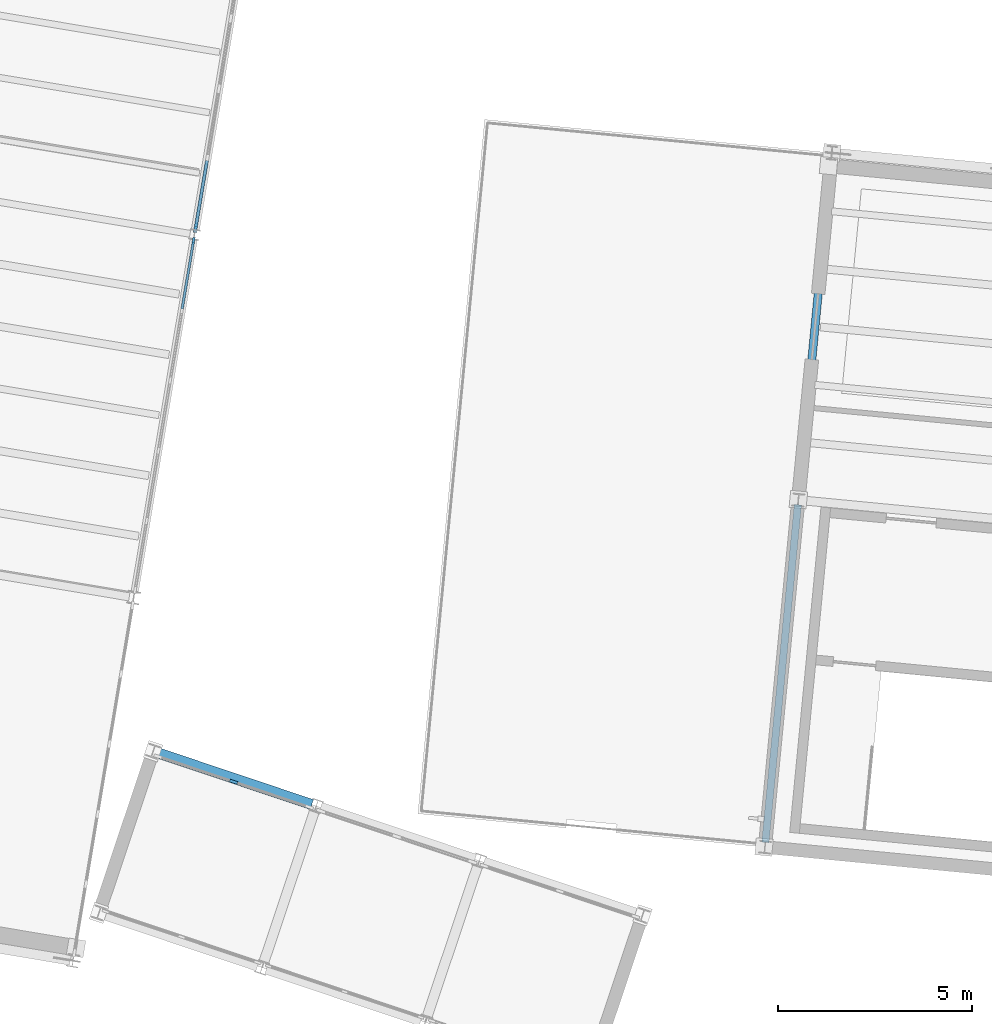
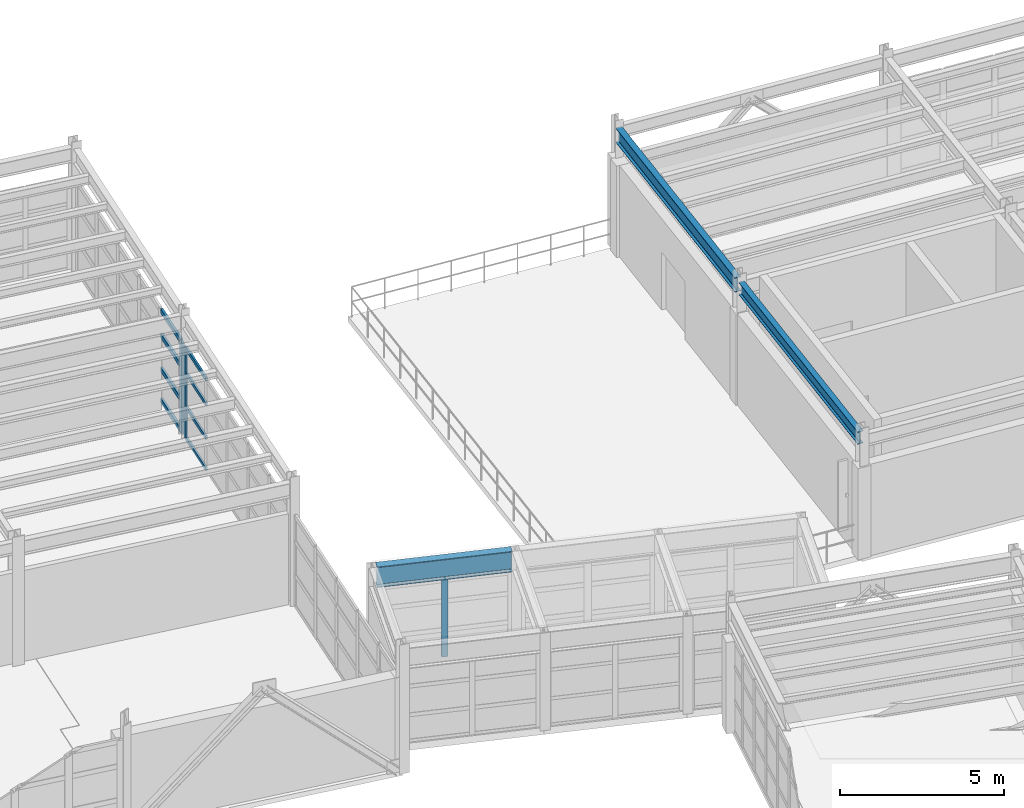
# One storey, part 43 of 102: 11 members, 3 beams, 3 elements without a shape of their own.
"""IFC4 building model written with IfcOpenShell, lengths in metres."""

from ifc_helpers import new_model, si_unit, direction, frame, origin, origin_2d, place, context, subcontext, project, spatial, rectangle, i_section, extrude, material, layer, layer_set, material_profile, profile_set, type_object, element, aggregate, save


model = new_model("IFC4")

# Units and contexts
model_context = context("Model", 3, precision=1e-05, world=origin(), true_north=direction((0.0, 1.0)))
body_context = subcontext(model_context, "Body", "Model", "MODEL_VIEW")
ifc_project = project(units=[si_unit("LENGTHUNIT", "METRE"), si_unit("AREAUNIT", "SQUARE_METRE"), si_unit("VOLUMEUNIT", "CUBIC_METRE"), si_unit("PLANEANGLEUNIT", "RADIAN"), si_unit("MASSUNIT", "GRAM", prefix="KILO")], contexts=[model_context])

# Site, building, storey
site_placement = place(None, origin())
site = spatial("IfcSite", under=ifc_project, at=site_placement, CompositionType="ELEMENT")
building_placement = place(site_placement, origin())
building = spatial("IfcBuilding", under=site, at=building_placement, Name="Vireo Bluff Cable Station", CompositionType="ELEMENT")
storey_placement = place(building_placement, frame((0.0, 0.0, 9.60009765625)))
storey = spatial("IfcBuildingStorey", under=building, at=storey_placement, Name="L02", CompositionType="ELEMENT", Elevation=9.60009765625)

# Curtain wall, member
ifc_material_1 = material(Name="Anodized Aluminium 6063-T6", Category="aluminium")
ifc_layer_1 = layer(ifc_material_1, 0.159912109375, Name="Anodized Aluminium 6063-T6")
ifc_layer_set_1 = layer_set([ifc_layer_1], Name="Anodized Aluminium 6063-T6")
curtain_wall_type_1 = type_object("IfcCurtainWallType", Name="CW-STICK-1750", PredefinedType="USERDEFINED", material=ifc_layer_set_1)
curtain_wall_1_placement = place(storey_placement, origin())
curtain_wall_1 = element("IfcCurtainWall", 1, at=curtain_wall_1_placement, inside=storey, type_object=curtain_wall_type_1, Name="V4 L02 east curtain wall CW-104", ObjectType="STICK CURTAIN WALL", PredefinedType="USERDEFINED")
ifc_material_profile_1 = material_profile(ifc_material_1, rectangle(XDim=0.06494140625, YDim=0.179931640625, at=origin_2d()), Name="ALU-M-65X180")
ifc_profile_set_1 = profile_set([ifc_material_profile_1], Name="Anodized Aluminium 6063-T6")
member_type_1 = type_object("IfcMemberType", Name="CWM-01", PredefinedType="MULLION", material=ifc_profile_set_1)
member_1_placement = place(storey_placement, frame((52.9912109375, 82.64794921875, 0.0), z_axis=(0.0, 0.0, 1.0), x_axis=(0.986285611291, -0.165047547574, 0.0)))
member_1 = element("IfcMember", 2, at=member_1_placement, type_object=member_type_1, Name="CW-104 mullion 1", PredefinedType="MULLION", context=body_context, shape_type="SweptSolid", body=[
    extrude(rectangle(XDim=0.06494140625, YDim=0.179931640625, at=origin_2d()), origin(), (0.0, 0.0, 1.0), 3.39990234375),
])

ifc_layer_2 = layer(ifc_material_1, 0.159912109375, Name="Anodized Aluminium 6063-T6")
ifc_layer_set_2 = layer_set([ifc_layer_2], Name="Anodized Aluminium 6063-T6")
curtain_wall_type_2 = type_object("IfcCurtainWallType", Name="CW-STICK-1850", PredefinedType="USERDEFINED", material=ifc_layer_set_2)
curtain_wall_2_placement = place(storey_placement, origin())
curtain_wall_2 = element("IfcCurtainWall", 3, at=curtain_wall_2_placement, inside=storey, type_object=curtain_wall_type_2, Name="SKYBR L02 CABIN-TRANSFER-1R curtain wall CW-141", ObjectType="STICK CURTAIN WALL", PredefinedType="USERDEFINED")
ifc_material_profile_2 = material_profile(ifc_material_1, rectangle(XDim=0.074951171875, YDim=0.2099609375, at=origin_2d()), Name="ALU-M-75X210")
ifc_profile_set_2 = profile_set([ifc_material_profile_2], Name="Anodized Aluminium 6063-T6")
member_type_2 = type_object("IfcMemberType", Name="CWM-02", PredefinedType="MULLION", material=ifc_profile_set_2)
member_2_placement = place(storey_placement, frame((54.02587890625, 68.689453125, 0.0), z_axis=(0.0, 0.0, 1.0), x_axis=(0.317927251237, 0.948115110586, 0.0)))
member_2 = element("IfcMember", 4, at=member_2_placement, type_object=member_type_2, Name="CW-141 mullion 2", PredefinedType="MULLION", context=body_context, shape_type="SweptSolid", body=[
    extrude(rectangle(XDim=0.074951171875, YDim=0.2099609375, at=origin_2d()), origin(), (0.0, 0.0, 1.0), 2.8798828125),
])
aggregate(curtain_wall_2, [member_2])

curtain_wall_3_placement = place(storey_placement, origin())
curtain_wall_3 = element("IfcCurtainWall", 5, at=curtain_wall_3_placement, inside=storey, type_object=curtain_wall_type_2, Name="V4 L02 east curtain wall CW-103", ObjectType="STICK CURTAIN WALL", PredefinedType="USERDEFINED")
ifc_material_profile_3 = material_profile(ifc_material_1, rectangle(XDim=0.080078125, YDim=0.239990234375, at=origin_2d()), Name="ALU-M-80X240")
ifc_profile_set_3 = profile_set([ifc_material_profile_3], Name="Anodized Aluminium 6063-T6")
member_type_3 = type_object("IfcMemberType", Name="CWM-04", PredefinedType="MULLION", material=ifc_profile_set_3)
member_3_placement = place(storey_placement, frame((53.04736328125, 82.98388671875, 0.0), z_axis=(0.0, 0.0, 1.0), x_axis=(0.986285596562, -0.165047635589, 0.0)))
member_3 = element("IfcMember", 6, at=member_3_placement, type_object=member_type_3, Name="CW-103 mullion 6", PredefinedType="MULLION", context=body_context, shape_type="SweptSolid", body=[
    extrude(rectangle(XDim=0.080078125, YDim=0.239990234375, at=origin_2d()), origin(), (0.0, 0.0, 1.0), 3.39990234375),
])

# Member
ifc_material_profile_4 = material_profile(ifc_material_1, rectangle(XDim=0.06494140625, YDim=0.139892578125, at=origin_2d()), Name="ALU-T-65X140")
ifc_profile_set_4 = profile_set([ifc_material_profile_4], Name="Anodized Aluminium 6063-T6")
member_type_4 = type_object("IfcMemberType", Name="CWT-01", PredefinedType="USERDEFINED", material=ifc_profile_set_4)
member_4_placement = place(storey_placement, frame((52.98583984375, 82.615966796875, 0.032470703125), z_axis=(-0.165012271453, -0.986291513839, 0.0), x_axis=(0.986291513839, -0.165012271453, 0.0)))
member_4 = element("IfcMember", 7, at=member_4_placement, type_object=member_type_4, Name="CW-104 transom 1.1", ObjectType="TRANSOM", PredefinedType="USERDEFINED", context=body_context, shape_type="SweptSolid", body=[
    extrude(rectangle(XDim=0.06494140625, YDim=0.139892578125, at=origin_2d()), origin(), (0.0, 0.0, 1.0), 1.742919921875),
])

member_5_placement = place(storey_placement, frame((52.98583984375, 82.615966796875, 1.18994140625), z_axis=(-0.165012271453, -0.986291513839, 0.0), x_axis=(0.986291513839, -0.165012271453, 0.0)))
member_5 = element("IfcMember", 8, at=member_5_placement, type_object=member_type_4, Name="CW-104 transom 1.2", ObjectType="TRANSOM", PredefinedType="USERDEFINED", context=body_context, shape_type="SweptSolid", body=[
    extrude(rectangle(XDim=0.06494140625, YDim=0.139892578125, at=origin_2d()), origin(), (0.0, 0.0, 1.0), 1.742919921875),
])

member_6_placement = place(storey_placement, frame((52.98583984375, 82.615966796875, 2.447998046875), z_axis=(-0.165012271453, -0.986291513839, 0.0), x_axis=(0.986291513839, -0.165012271453, 0.0)))
member_6 = element("IfcMember", 9, at=member_6_placement, type_object=member_type_4, Name="CW-104 transom 1.3", ObjectType="TRANSOM", PredefinedType="USERDEFINED", context=body_context, shape_type="SweptSolid", body=[
    extrude(rectangle(XDim=0.06494140625, YDim=0.139892578125, at=origin_2d()), origin(), (0.0, 0.0, 1.0), 1.742919921875),
])

member_7_placement = place(storey_placement, frame((52.98583984375, 82.615966796875, 3.367431640625), z_axis=(-0.165012271453, -0.986291513839, 0.0), x_axis=(0.986291513839, -0.165012271453, 0.0)))
member_7 = element("IfcMember", 10, at=member_7_placement, type_object=member_type_4, Name="CW-104 transom 1.4", ObjectType="TRANSOM", PredefinedType="USERDEFINED", context=body_context, shape_type="SweptSolid", body=[
    extrude(rectangle(XDim=0.06494140625, YDim=0.139892578125, at=origin_2d()), origin(), (0.0, 0.0, 1.0), 1.742919921875),
])

aggregate(curtain_wall_1, [member_1, member_4, member_5, member_6, member_7])

ifc_material_profile_5 = material_profile(ifc_material_1, rectangle(XDim=0.080078125, YDim=0.175048828125, at=origin_2d()), Name="ALU-T-80X175")
ifc_profile_set_5 = profile_set([ifc_material_profile_5], Name="Anodized Aluminium 6063-T6")
member_type_5 = type_object("IfcMemberType", Name="CWT-04", PredefinedType="USERDEFINED", material=ifc_profile_set_5)
member_8_placement = place(storey_placement, frame((53.338134765625, 84.72021484375, 0.039794921875), z_axis=(-0.165181349335, -0.986263211233, 0.0), x_axis=(0.986263211233, -0.165181349335, 0.0)))
member_8 = element("IfcMember", 11, at=member_8_placement, type_object=member_type_5, Name="CW-103 transom 5.1", ObjectType="TRANSOM", PredefinedType="USERDEFINED", context=body_context, shape_type="SweptSolid", body=[
    extrude(rectangle(XDim=0.080078125, YDim=0.175048828125, at=origin_2d()), origin(), (0.0, 0.0, 1.0), 1.720458984375),
])

member_9_placement = place(storey_placement, frame((53.338134765625, 84.72021484375, 1.18994140625), z_axis=(-0.165181349335, -0.986263211233, 0.0), x_axis=(0.986263211233, -0.165181349335, 0.0)))
member_9 = element("IfcMember", 12, at=member_9_placement, type_object=member_type_5, Name="CW-103 transom 5.2", ObjectType="TRANSOM", PredefinedType="USERDEFINED", context=body_context, shape_type="SweptSolid", body=[
    extrude(rectangle(XDim=0.080078125, YDim=0.175048828125, at=origin_2d()), origin(), (0.0, 0.0, 1.0), 1.720458984375),
])

member_10_placement = place(storey_placement, frame((53.338134765625, 84.72021484375, 2.447998046875), z_axis=(-0.165181349335, -0.986263211233, 0.0), x_axis=(0.986263211233, -0.165181349335, 0.0)))
member_10 = element("IfcMember", 13, at=member_10_placement, type_object=member_type_5, Name="CW-103 transom 5.3", ObjectType="TRANSOM", PredefinedType="USERDEFINED", context=body_context, shape_type="SweptSolid", body=[
    extrude(rectangle(XDim=0.080078125, YDim=0.175048828125, at=origin_2d()), origin(), (0.0, 0.0, 1.0), 1.720458984375),
])

member_11_placement = place(storey_placement, frame((53.338134765625, 84.72021484375, 3.35986328125), z_axis=(-0.165181349335, -0.986263211233, 0.0), x_axis=(0.986263211233, -0.165181349335, 0.0)))
member_11 = element("IfcMember", 14, at=member_11_placement, type_object=member_type_5, Name="CW-103 transom 5.4", ObjectType="TRANSOM", PredefinedType="USERDEFINED", context=body_context, shape_type="SweptSolid", body=[
    extrude(rectangle(XDim=0.080078125, YDim=0.175048828125, at=origin_2d()), origin(), (0.0, 0.0, 1.0), 1.720458984375),
])

aggregate(curtain_wall_3, [member_3, member_8, member_9, member_10, member_11])

# Beams
ifc_material_2 = material(Name="Steel ASTM A992 Gr. 50", Category="steel")
ifc_material_profile_6 = material_profile(ifc_material_2, i_section(OverallWidth=0.26708984375, OverallDepth=0.77001953125, WebThickness=0.015625, FlangeThickness=0.025390625, FilletRadius=0.01611328125, at=origin_2d()), Name="W30X132")
ifc_profile_set_6 = profile_set([ifc_material_profile_6], Name="Steel ASTM A992 Gr. 50")
beam_type_1 = type_object("IfcBeamType", Name="EXTGIR-W30X132", PredefinedType="USERDEFINED", material=ifc_profile_set_6)
beam_1_placement = place(storey_placement, frame((52.062744140625, 69.4404296875, 3.25), z_axis=(0.94810627193, -0.317953608452, 0.0), x_axis=(0.317953608452, 0.94810627193, 0.0)))
element("IfcBeam", 15, at=beam_1_placement, inside=storey, type_object=beam_type_1, Name="CABIN-TRANSFER skybridge roof girder 1R", ObjectType="GIRDER", PredefinedType="USERDEFINED", context=body_context, shape_type="SweptSolid", body=[
    extrude(i_section(OverallWidth=0.26708984375, OverallDepth=0.77001953125, WebThickness=0.015625, FlangeThickness=0.025390625, FilletRadius=0.01611328125, at=origin_2d()), origin(), (0.0, 0.0, 1.0), 4.2001953125),
])
ifc_material_profile_7 = material_profile(ifc_material_2, i_section(OverallWidth=0.19091796875, OverallDepth=0.45703125, WebThickness=0.009033203125, FlangeThickness=0.014404296875, FilletRadius=0.011962890625, at=origin_2d()), Name="W18X50")
ifc_profile_set_7 = profile_set([ifc_material_profile_7], Name="Steel ASTM A992 Gr. 50")
beam_type_2 = type_object("IfcBeamType", Name="SPN-W18X50", PredefinedType="SPANDREL", material=ifc_profile_set_7)
beam_2_placement = place(storey_placement, frame((67.74951171875, 67.123291015625, 4.271484375), z_axis=(0.095844105487, 0.995396356957, 0.0), x_axis=(-0.995396356957, 0.095844105487, 0.0)))
element("IfcBeam", 16, at=beam_2_placement, inside=storey, type_object=beam_type_2, Name="V3 L02 spandrel 724", PredefinedType="SPANDREL", context=body_context, shape_type="SweptSolid", body=[
    extrude(i_section(OverallWidth=0.19091796875, OverallDepth=0.45703125, WebThickness=0.009033203125, FlangeThickness=0.014404296875, FilletRadius=0.011962890625, at=origin_2d()), origin(), (0.0, 0.0, 1.0), 8.760009765625),
])
ifc_material_profile_8 = material_profile(ifc_material_2, i_section(OverallWidth=0.2099609375, OverallDepth=0.535888671875, WebThickness=0.010986328125, FlangeThickness=0.017333984375, FilletRadius=0.012939453125, at=origin_2d()), Name="W21X68")
ifc_profile_set_8 = profile_set([ifc_material_profile_8], Name="Steel ASTM A992 Gr. 50")
beam_type_3 = type_object("IfcBeamType", Name="SPN-W21X68", PredefinedType="SPANDREL", material=ifc_profile_set_8)
beam_3_placement = place(storey_placement, frame((68.6123046875, 76.081787109375, 4.23193359375), z_axis=(0.095844105487, 0.995396356957, 0.0), x_axis=(-0.995396356957, 0.095844105487, 0.0)))
element("IfcBeam", 17, at=beam_3_placement, inside=storey, type_object=beam_type_3, Name="V3 L02 spandrel 725", PredefinedType="SPANDREL", context=body_context, shape_type="SweptSolid", body=[
    extrude(i_section(OverallWidth=0.2099609375, OverallDepth=0.535888671875, WebThickness=0.010986328125, FlangeThickness=0.017333984375, FilletRadius=0.012939453125, at=origin_2d()), origin(), (0.0, 0.0, 1.0), 8.760009765625),
])

save(model, "model.ifc")
